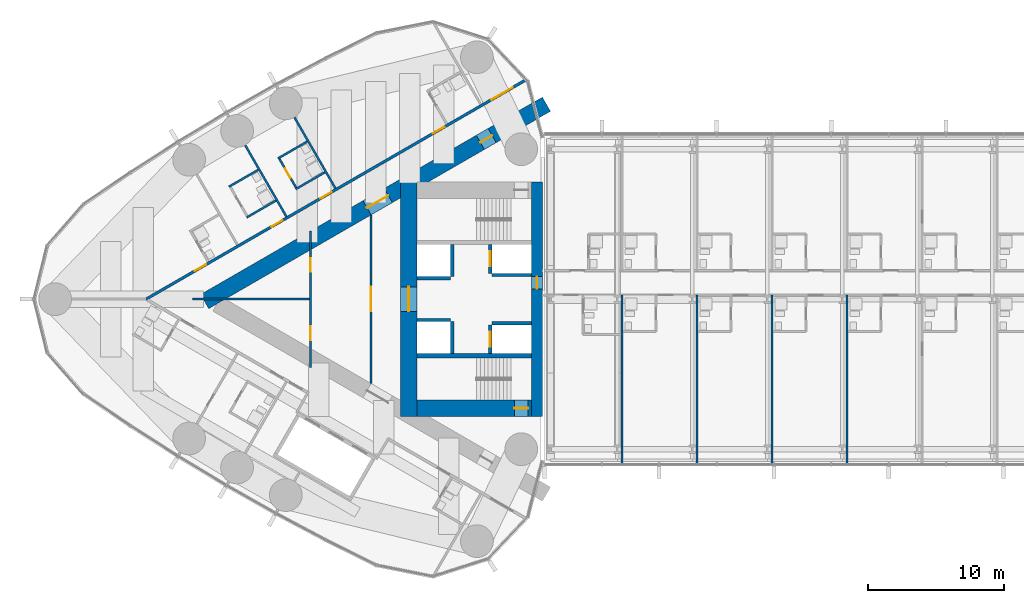
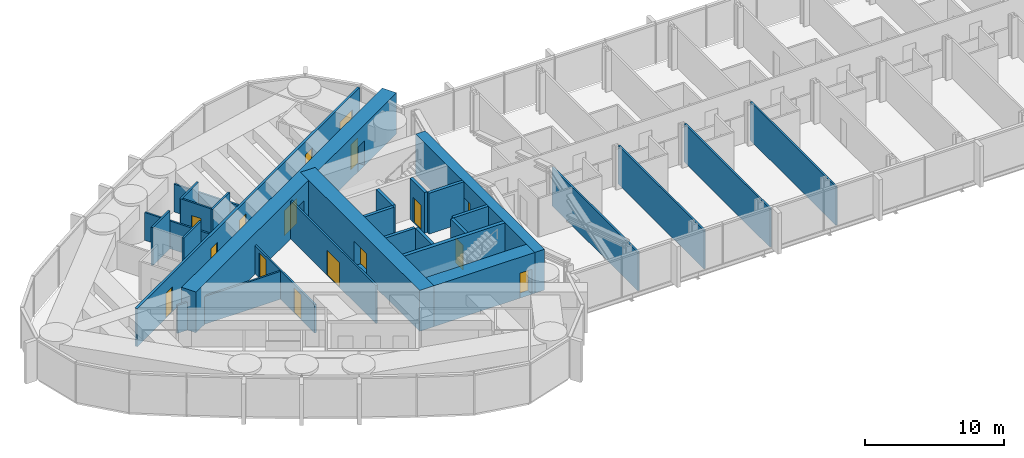
# One storey, part 15 of 23: 28 walls, 16 doors, 16 openings.
"""IFC4 building model written with IfcOpenShell, lengths in metres."""

import ifcopenshell
import ifcopenshell.guid

model = None  # the IFC model being written
_history = None  # IfcOwnerHistory: only IFC2X3 demands one
_inside = {}  # id of a spatial element -> (the spatial element, [elements in it])
_under = {}  # id of a project, library or spatial element -> (it, [spatial elements below it])
_declared = {}  # id of a project -> (the project, [libraries it declares])
_typed = {}  # id of a type object -> (the type object, [elements of that type])
_made_of = {}  # id of a material, layer set ... -> (it, [elements and type objects made of it])


def new_model(schema):
    """Start an empty IFC model of exactly this schema.

    Asked for "IFC4X3", IfcOpenShell would pick the latest addendum, in which some entities
    have other attributes; the version numbers below select the first issue.
    IFC2X3 requires an IfcOwnerHistory on every rooted entity: one is made here for all.
    """
    global model, _history
    if schema == "IFC4X3":
        model = ifcopenshell.file(schema_version=(4, 3, 0, 0))
    else:
        model = ifcopenshell.file(schema=schema)
    _inside.clear()
    _under.clear()
    _declared.clear()
    _typed.clear()
    _made_of.clear()
    _history = None
    if model.schema == "IFC2X3":
        org = make("IfcOrganization", Name="unknown")
        user = make(
            "IfcPersonAndOrganization",
            ThePerson=make("IfcPerson", FamilyName="unknown"),
            TheOrganization=org,
        )
        app = make(
            "IfcApplication",
            ApplicationDeveloper=org,
            Version="unknown",
            ApplicationFullName="unknown",
            ApplicationIdentifier="unknown",
        )
        _history = make(
            "IfcOwnerHistory",
            OwningUser=user,
            OwningApplication=app,
            ChangeAction="ADDED",
            CreationDate=0,
        )
    return model


def make(cls, **values):
    """One entity of the class cls with the attributes given. An attribute that is None is left unset."""
    return model.create_entity(
        cls, **{name: value for name, value in values.items() if value is not None}
    )


def rooted(cls, **values):
    """An entity with a GlobalId (a new one), such as an element, a storey or a relation."""
    return make(cls, GlobalId=ifcopenshell.guid.new(), OwnerHistory=_history, **values)


def si_unit(unit_type, name, prefix=None):
    """IfcSIUnit, for example si_unit("LENGTHUNIT", "METRE", prefix="MILLI")."""
    return make("IfcSIUnit", UnitType=unit_type, Prefix=prefix, Name=name)


def assignment(units):
    """IfcUnitAssignment: the units of a project."""
    return None if units is None else make("IfcUnitAssignment", Units=units)


def point(xyz):
    """IfcCartesianPoint."""
    return None if xyz is None else make("IfcCartesianPoint", Coordinates=xyz)


def direction(xyz):
    """IfcDirection."""
    return None if xyz is None else make("IfcDirection", DirectionRatios=xyz)


def frame(location, z_axis=None, x_axis=None):
    """IfcAxis2Placement3D, a coordinate frame: its origin and axes. An axis left out is left unset."""
    return make(
        "IfcAxis2Placement3D",
        Location=point(location),
        Axis=direction(z_axis),
        RefDirection=direction(x_axis),
    )


def frame_2d(location, x_axis=None):
    """IfcAxis2Placement2D, a coordinate frame in the plane: its origin and x axis."""
    return make(
        "IfcAxis2Placement2D", Location=point(location), RefDirection=direction(x_axis)
    )


def origin():
    """The frame at (0, 0, 0) with its axes left unset."""
    return frame((0.0, 0.0, 0.0))


def place(relative_to, where):
    """IfcLocalPlacement: puts the frame where relative to a parent placement (None: the world)."""
    return make(
        "IfcLocalPlacement", PlacementRelTo=relative_to, RelativePlacement=where
    )


def context(
    kind, dimensions, precision=None, world=None, true_north=None, identifier=None
):
    """IfcGeometricRepresentationContext, for example the 3D "Model" context."""
    return make(
        "IfcGeometricRepresentationContext",
        ContextIdentifier=identifier,
        ContextType=kind,
        CoordinateSpaceDimension=dimensions,
        Precision=precision,
        WorldCoordinateSystem=world,
        TrueNorth=true_north,
    )


def subcontext(parent, identifier, kind, view, scale=None):
    """IfcGeometricRepresentationSubContext, for example "Body" below "Model"."""
    return make(
        "IfcGeometricRepresentationSubContext",
        ContextIdentifier=identifier,
        ContextType=kind,
        ParentContext=parent,
        TargetScale=scale,
        TargetView=view,
    )


def project(units=None, contexts=None):
    """IfcProject with its units and contexts."""
    return rooted(
        "IfcProject",
        Name="project",
        RepresentationContexts=contexts,
        UnitsInContext=assignment(units),
    )


def spatial(cls, under=None, at=None, **own):
    """A site, building, storey or space (cls), placed at a placement, below another one or the project."""
    s = rooted(cls, ObjectPlacement=at, **own)
    if under is not None:
        _under.setdefault(under.id(), (under, []))[1].append(s)
    return s


def profile(cls, at=None, kind="AREA", **sizes):
    """A parametric profile (cls). Its sizes go by their IFC names, for example OverallWidth=200.0."""
    return make(cls, ProfileType=kind, Position=at, **sizes)


def rectangle(**sizes):
    """IfcRectangleProfileDef."""
    return profile("IfcRectangleProfileDef", **sizes)


def extrude(swept, where, along, depth):
    """IfcExtrudedAreaSolid: the profile swept, set in the frame where, extruded along a direction by depth."""
    return make(
        "IfcExtrudedAreaSolid",
        SweptArea=swept,
        Position=where,
        ExtrudedDirection=direction(along),
        Depth=depth,
    )


def shape(context_of_items, identifier, shape_type, items):
    """IfcShapeRepresentation: the items that make up one representation, for example the "Body"."""
    return make(
        "IfcShapeRepresentation",
        ContextOfItems=context_of_items,
        RepresentationIdentifier=identifier,
        RepresentationType=shape_type,
        Items=items,
    )


def material(Name=None, Category=None):
    """IfcMaterial."""
    return make("IfcMaterial", Name=Name, Category=Category)


def layer(
    of_material, thickness, ventilated=None, Name=None, Category=None, Priority=None
):
    """IfcMaterialLayer: one layer of a wall or slab, of a material (None: an air gap)."""
    return make(
        "IfcMaterialLayer",
        Material=of_material,
        LayerThickness=thickness,
        IsVentilated=ventilated,
        Name=Name,
        Category=Category,
        Priority=Priority,
    )


def layer_set(layers, Name=None):
    """IfcMaterialLayerSet."""
    return make("IfcMaterialLayerSet", MaterialLayers=layers, LayerSetName=Name)


def made_of(thing, what):
    """Note that an element or type object is made of a material, layer set ...; save() writes the relation."""
    if what is not None:
        _made_of.setdefault(what.id(), (what, []))[1].append(thing)
    return thing


def type_object(cls, material=None, **own):
    """A type object (cls), such as IfcWallType, which elements share."""
    return made_of(rooted(cls, **own), material)


def element(
    cls,
    number,
    at=None,
    inside=None,
    cuts=None,
    type_object=None,
    material=None,
    context=None,
    identifier="Body",
    shape_type=None,
    held_by="IfcProductDefinitionShape",
    body=None,
    shapes=None,
    **own,
):
    """One element of the class cls, such as IfcWall. Its Tag is "e" and its number.

    at: its placement. inside: the storey or other place that contains it. cuts: it is an
    opening in that element (IfcRelVoidsElement). A single representation is given by context,
    identifier, shape_type and body (its items); several are given by shapes. held_by: the class
    of the entity that holds the representations. save() writes the other relations.
    """
    e = rooted(cls, Tag="e%d" % number, ObjectPlacement=at, **own)
    if body is not None:
        shapes = [shape(context, identifier, shape_type, body)]
    if shapes is not None:
        e.Representation = make(held_by, Representations=shapes)
    if inside is not None:
        _inside.setdefault(inside.id(), (inside, []))[1].append(e)
    if cuts is not None:
        rooted(
            "IfcRelVoidsElement", RelatingBuildingElement=cuts, RelatedOpeningElement=e
        )
    if type_object is not None:
        _typed.setdefault(type_object.id(), (type_object, []))[1].append(e)
    return made_of(e, material)


def fill(opening, filler):
    """IfcRelFillsElement: the door or window that sits in an opening."""
    return rooted(
        "IfcRelFillsElement",
        RelatingOpeningElement=opening,
        RelatedBuildingElement=filler,
    )


def aggregate(whole, parts):
    """IfcRelAggregates: a whole, such as a stair, and the parts it consists of."""
    return rooted("IfcRelAggregates", RelatingObject=whole, RelatedObjects=parts)


def save(model, path):
    """Write the relations noted so far, then the file.

    IfcRelAggregates (storeys below a building ...), IfcRelContainedInSpatialStructure (elements
    in a storey), IfcRelDefinesByType, IfcRelAssociatesMaterial and IfcRelDeclares: one each for
    every whole, place, type object, material and project.
    """
    for whole, parts in _under.values():
        aggregate(whole, parts)
    for where, things in _inside.values():
        rooted(
            "IfcRelContainedInSpatialStructure",
            RelatedElements=things,
            RelatingStructure=where,
        )
    for kind, things in _typed.values():
        rooted("IfcRelDefinesByType", RelatedObjects=things, RelatingType=kind)
    for what, things in _made_of.values():
        rooted("IfcRelAssociatesMaterial", RelatedObjects=things, RelatingMaterial=what)
    for by, libraries in _declared.values():
        rooted("IfcRelDeclares", RelatingContext=by, RelatedDefinitions=libraries)
    model.write(path)


model = new_model("IFC4")

# Units and contexts
model_context = context("Model", 3, precision=1e-05, world=origin(), true_north=direction((0.0, 1.0)))
body_context = subcontext(model_context, "Body", "Model", "MODEL_VIEW")
ifc_project = project(units=[si_unit("LENGTHUNIT", "METRE"), si_unit("AREAUNIT", "SQUARE_METRE"), si_unit("VOLUMEUNIT", "CUBIC_METRE"), si_unit("PLANEANGLEUNIT", "RADIAN"), si_unit("MASSUNIT", "GRAM", prefix="KILO")], contexts=[model_context])

# Site, building, storey
site_placement = place(None, origin())
site = spatial("IfcSite", under=ifc_project, at=site_placement, CompositionType="ELEMENT")
building_placement = place(site_placement, origin())
building = spatial("IfcBuilding", under=site, at=building_placement, Name="Lancet Gate Hotel", CompositionType="ELEMENT")
storey_placement = place(building_placement, frame((0.0, 0.0, 218.89990234375)))
storey = spatial("IfcBuildingStorey", under=building, at=storey_placement, Name="L58", CompositionType="ELEMENT", Elevation=218.89990234375)

# Wall
ifc_material_1 = material(Name="Moisture resistant board partition")
ifc_layer_1 = layer(ifc_material_1, 0.14990234375)
ifc_layer_set_1 = layer_set([ifc_layer_1], Name="Bathroom wall 150")
wall_type_1 = type_object("IfcWallType", Name="Bathroom wall 150", PredefinedType="PARTITIONING", material=ifc_layer_set_1)
wall_1_placement = place(storey_placement, frame((-44.745361328125, 11.560302734375, 0.0), z_axis=(0.0, 0.0, 1.0), x_axis=(-0.866006523861, -0.500032699561, 0.0)))
element("IfcWall", 1, at=wall_1_placement, inside=storey, type_object=wall_type_1, Name="T1 bathroom wall 150 L58", PredefinedType="PARTITIONING", context=body_context, shape_type="SweptSolid", body=[
    extrude(rectangle(XDim=2.474853515625, YDim=0.14990234375, at=frame_2d((1.2373046875, 0.0))), origin(), (0.0, 0.0, 1.0), 3.35009765625),
])

# Wall, opening, door
wall_2_placement = place(storey_placement, frame((-45.52392578125, 8.108642578125, 0.0), z_axis=(0.0, 0.0, 1.0), x_axis=(-0.49997716683, 0.86603858612, 0.0)))
wall_2 = element("IfcWall", 2, at=wall_2_placement, inside=storey, type_object=wall_type_1, Name="T1 bathroom wall 150 L58", PredefinedType="PARTITIONING", context=body_context, shape_type="SweptSolid", body=[
    extrude(rectangle(XDim=2.599609375, YDim=0.14990234375, at=frame_2d((1.2998046875, 0.0))), origin(), (0.0, 0.0, 1.0), 3.35009765625),
])
opening_1_placement = place(wall_2_placement, frame((0.89990234375, 0.0, 0.0)))
opening_1 = element("IfcOpeningElement", 3, at=opening_1_placement, cuts=wall_2, Name="Opening 5803-B", PredefinedType="OPENING", context=body_context, shape_type="SweptSolid", body=[
    extrude(rectangle(XDim=0.800048828125, YDim=2.199951171875, at=frame_2d((0.39990234375, 1.10009765625))), frame((0.0, 0.0849609375, 0.0), z_axis=(0.0, -1.0, 0.0), x_axis=(1.0, 0.0, 0.0)), (0.0, 0.0, 1.0), 0.169921875),
])
ifc_material_2 = material(Name="Timber door set", Category="wood")
door_type_1 = type_object("IfcDoorType", Name="Bathroom door 800", OperationType="SINGLE_SWING_RIGHT", PredefinedType="DOOR", material=ifc_material_2)
door_1_placement = place(opening_1_placement, origin())
door_1 = element("IfcDoor", 4, at=door_1_placement, inside=storey, type_object=door_type_1, Name="5803-B", OperationType="SINGLE_SWING_RIGHT", OverallHeight=2.199951171875, OverallWidth=0.800048828125, PredefinedType="DOOR", context=body_context, shape_type="SweptSolid", body=[
    extrude(rectangle(XDim=0.800048828125, YDim=2.199951171875, at=frame_2d((0.39990234375, 1.10009765625))), frame((0.0, 0.02490234375, 0.0), z_axis=(0.0, -1.0, 0.0), x_axis=(1.0, 0.0, 0.0)), (0.0, 0.0, 1.0), 0.050048828125),
])
fill(opening_1, door_1)

# Walls
wall_3_placement = place(storey_placement, frame((-43.4453125, 9.30859375, 0.0), z_axis=(0.0, 0.0, 1.0), x_axis=(-0.866031185235, -0.4999899861, 0.0)))
element("IfcWall", 5, at=wall_3_placement, inside=storey, type_object=wall_type_1, Name="T1 bathroom wall 150 L58", PredefinedType="PARTITIONING", context=body_context, shape_type="SweptSolid", body=[
    extrude(rectangle(XDim=2.47509765625, YDim=0.14990234375, at=frame_2d((1.237548828125, 0.0))), origin(), (0.0, 0.0, 1.0), 3.35009765625),
])
wall_4_placement = place(storey_placement, frame((-48.338623046875, 9.485595703125, 0.0), z_axis=(0.0, 0.0, 1.0), x_axis=(-0.866006523861, -0.500032699561, 0.0)))
element("IfcWall", 6, at=wall_4_placement, inside=storey, type_object=wall_type_1, Name="T1 bathroom wall 150 L58", PredefinedType="PARTITIONING", context=body_context, shape_type="SweptSolid", body=[
    extrude(rectangle(XDim=2.474853515625, YDim=0.14990234375, at=frame_2d((1.2373046875, 0.0))), origin(), (0.0, 0.0, 1.0), 3.35009765625),
])
wall_5_placement = place(storey_placement, frame((-47.03857421875, 7.23388671875, 0.0), z_axis=(0.0, 0.0, 1.0), x_axis=(-0.866073894602, -0.499916002032, 0.0)))
element("IfcWall", 7, at=wall_5_placement, inside=storey, type_object=wall_type_1, Name="T1 bathroom wall 150 L58", PredefinedType="PARTITIONING", context=body_context, shape_type="SweptSolid", body=[
    extrude(rectangle(XDim=2.47509765625, YDim=0.14990234375, at=frame_2d((1.237548828125, 0.0))), origin(), (0.0, 0.0, 1.0), 3.35009765625),
])

# Wall, openings, doors
ifc_material_3 = material(Name="Concrete C70/85", Category="concrete")
ifc_layer_2 = layer(ifc_material_3, 1.199951171875)
ifc_layer_set_2 = layer_set([ifc_layer_2], Name="Buttress wall 1200")
wall_type_2 = type_object("IfcWallType", Name="Buttress wall 1200", PredefinedType="SHEAR", material=ifc_layer_set_2)
wall_6_placement = place(storey_placement, frame((-27.199951171875, 14.300048828125, 0.0), z_axis=(0.0, 0.0, 1.0), x_axis=(-0.866026593062, -0.499997940104, 0.0)))
wall_6 = element("IfcWall", 8, at=wall_6_placement, inside=storey, type_object=wall_type_2, Name="T1 buttress wall S L58", PredefinedType="SHEAR", context=body_context, shape_type="SweptSolid", body=[
    extrude(rectangle(XDim=28.9462890625, YDim=1.199951171875, at=frame_2d((14.47314453125, 0.0))), origin(), (0.0, 0.0, 1.0), 3.60009765625),
])
opening_2_placement = place(wall_6_placement, frame((4.60009765625, 0.0, 0.0)))
opening_2 = element("IfcOpeningElement", 9, at=opening_2_placement, cuts=wall_6, Name="Opening T1-L58-LS", PredefinedType="OPENING", context=body_context, shape_type="SweptSolid", body=[
    extrude(rectangle(XDim=1.0, YDim=2.199951171875, at=frame_2d((0.5, 1.10009765625))), frame((0.0, 0.60986328125, 0.0), z_axis=(0.0, -1.0, 0.0), x_axis=(1.0, 0.0, 0.0)), (0.0, 0.0, 1.0), 1.219970703125),
])
opening_3_placement = place(wall_6_placement, frame((13.39453125, 0.0, 0.0)))
opening_3 = element("IfcOpeningElement", 10, at=opening_3_placement, cuts=wall_6, Name="Opening T1-L58-LHS", PredefinedType="OPENING", context=body_context, shape_type="SweptSolid", body=[
    extrude(rectangle(XDim=1.800048828125, YDim=2.199951171875, at=frame_2d((0.89990234375, 1.10009765625))), frame((0.0, 0.60986328125, 0.0), z_axis=(0.0, -1.0, 0.0), x_axis=(1.0, 0.0, 0.0)), (0.0, 0.0, 1.0), 1.219970703125),
])
ifc_material_4 = material(Name="Timber door set", Category="wood")
door_type_2 = type_object("IfcDoorType", Name="Lobby double door 1800", OperationType="DOUBLE_DOOR_SINGLE_SWING", PredefinedType="DOOR", material=ifc_material_4)
door_2_placement = place(opening_3_placement, origin())
door_2 = element("IfcDoor", 11, at=door_2_placement, inside=storey, type_object=door_type_2, Name="T1-L58-LHS", OperationType="DOUBLE_DOOR_SINGLE_SWING", OverallHeight=2.199951171875, OverallWidth=1.800048828125, PredefinedType="DOOR", context=body_context, shape_type="SweptSolid", body=[
    extrude(rectangle(XDim=1.800048828125, YDim=2.199951171875, at=frame_2d((0.89990234375, 1.10009765625))), frame((0.0, 0.02490234375, 0.0), z_axis=(0.0, -1.0, 0.0), x_axis=(1.0, 0.0, 0.0)), (0.0, 0.0, 1.0), 0.050048828125),
])
fill(opening_3, door_2)
ifc_material_5 = material(Name="Timber door set", Category="wood")
door_type_3 = type_object("IfcDoorType", Name="Stair lobby door 1000", OperationType="SINGLE_SWING_LEFT", PredefinedType="DOOR", material=ifc_material_5)
door_3_placement = place(opening_2_placement, origin())
door_3 = element("IfcDoor", 12, at=door_3_placement, inside=storey, type_object=door_type_3, Name="T1-L58-LS", OperationType="SINGLE_SWING_LEFT", OverallHeight=2.199951171875, OverallWidth=1.0, PredefinedType="DOOR", context=body_context, shape_type="SweptSolid", body=[
    extrude(rectangle(XDim=1.0, YDim=2.199951171875, at=frame_2d((0.5, 1.10009765625))), frame((0.0, 0.02490234375, 0.0), z_axis=(0.0, -1.0, 0.0), x_axis=(1.0, 0.0, 0.0)), (0.0, 0.0, 1.0), 0.050048828125),
])
fill(opening_2, door_3)

# Wall, opening, door
ifc_material_6 = material(Name="Concrete C70/85", Category="concrete")
ifc_layer_3 = layer(ifc_material_6, 1.199951171875)
ifc_layer_set_3 = layer_set([ifc_layer_3], Name="Core wall 1200")
wall_type_3 = type_object("IfcWallType", Name="Core wall 1200", PredefinedType="SHEAR", material=ifc_layer_set_3)
wall_7_placement = place(storey_placement, frame((-37.300048828125, 8.60009765625, 0.0), z_axis=(0.0, 0.0, 1.0), x_axis=(0.0, -1.0, 0.0)))
wall_7 = element("IfcWall", 13, at=wall_7_placement, inside=storey, type_object=wall_type_3, Name="T1 core wall back L58", PredefinedType="SHEAR", context=body_context, shape_type="SweptSolid", body=[
    extrude(rectangle(XDim=17.2001953125, YDim=1.199951171875, at=frame_2d((8.60009765625, 0.0))), origin(), (0.0, 0.0, 1.0), 3.60009765625),
])
opening_4_placement = place(wall_7_placement, frame((7.699951171875, 0.0, 0.0)))
opening_4 = element("IfcOpeningElement", 14, at=opening_4_placement, cuts=wall_7, Name="Opening T1-L58-LL", PredefinedType="OPENING", context=body_context, shape_type="SweptSolid", body=[
    extrude(rectangle(XDim=1.800048828125, YDim=2.199951171875, at=frame_2d((0.89990234375, 1.10009765625))), frame((0.0, 0.60986328125, 0.0), z_axis=(0.0, -1.0, 0.0), x_axis=(1.0, 0.0, 0.0)), (0.0, 0.0, 1.0), 1.219970703125),
])
door_4_placement = place(opening_4_placement, origin())
door_4 = element("IfcDoor", 15, at=door_4_placement, inside=storey, type_object=door_type_2, Name="T1-L58-LL", OperationType="DOUBLE_DOOR_SINGLE_SWING", OverallHeight=2.199951171875, OverallWidth=1.800048828125, PredefinedType="DOOR", context=body_context, shape_type="SweptSolid", body=[
    extrude(rectangle(XDim=1.800048828125, YDim=2.199951171875, at=frame_2d((0.89990234375, 1.10009765625))), frame((0.0, 0.02490234375, 0.0), z_axis=(0.0, -1.0, 0.0), x_axis=(1.0, 0.0, 0.0)), (0.0, 0.0, 1.0), 0.050048828125),
])
fill(opening_4, door_4)

wall_8_placement = place(storey_placement, frame((-28.300048828125, -8.0, 0.0), z_axis=(0.0, 0.0, 1.0), x_axis=(-1.0, 0.0, 0.0)))
wall_8 = element("IfcWall", 16, at=wall_8_placement, inside=storey, type_object=wall_type_3, Name="T1 core wall side-N L58", PredefinedType="SHEAR", context=body_context, shape_type="SweptSolid", body=[
    extrude(rectangle(XDim=8.39990234375, YDim=1.199951171875, at=frame_2d((4.199951171875, 0.0))), origin(), (0.0, 0.0, 1.0), 3.60009765625),
])
opening_5_placement = place(wall_8_placement, frame((0.25, 0.0, 0.0)))
opening_5 = element("IfcOpeningElement", 17, at=opening_5_placement, cuts=wall_8, Name="Opening T1-L58-ST2", PredefinedType="OPENING", context=body_context, shape_type="SweptSolid", body=[
    extrude(rectangle(XDim=1.0, YDim=2.199951171875, at=frame_2d((0.5, 1.10009765625))), frame((0.0, 0.60986328125, 0.0), z_axis=(0.0, -1.0, 0.0), x_axis=(1.0, 0.0, 0.0)), (0.0, 0.0, 1.0), 1.219970703125),
])
ifc_material_7 = material(Name="Timber door set", Category="wood")
door_type_4 = type_object("IfcDoorType", Name="Stair door 1000", OperationType="SINGLE_SWING_RIGHT", PredefinedType="DOOR", material=ifc_material_7)
door_5_placement = place(opening_5_placement, origin())
door_5 = element("IfcDoor", 18, at=door_5_placement, inside=storey, type_object=door_type_4, Name="T1-L58-ST2", OperationType="SINGLE_SWING_RIGHT", OverallHeight=2.199951171875, OverallWidth=1.0, PredefinedType="DOOR", context=body_context, shape_type="SweptSolid", body=[
    extrude(rectangle(XDim=1.0, YDim=2.199951171875, at=frame_2d((0.5, 1.10009765625))), frame((0.0, 0.02490234375, 0.0), z_axis=(0.0, -1.0, 0.0), x_axis=(1.0, 0.0, 0.0)), (0.0, 0.0, 1.0), 0.050048828125),
])
fill(opening_5, door_5)

ifc_material_8 = material(Name="Concrete C70/85", Category="concrete")
ifc_layer_4 = layer(ifc_material_8, 0.800048828125)
ifc_layer_set_4 = layer_set([ifc_layer_4], Name="Core wall 800")
wall_type_4 = type_object("IfcWallType", Name="Core wall 800", PredefinedType="SHEAR", material=ifc_layer_set_4)
wall_9_placement = place(storey_placement, frame((-27.89990234375, 8.60009765625, 0.0), z_axis=(0.0, 0.0, 1.0), x_axis=(0.0, -1.0, 0.0)))
wall_9 = element("IfcWall", 19, at=wall_9_placement, inside=storey, type_object=wall_type_4, Name="T1 core wall front L58", PredefinedType="SHEAR", context=body_context, shape_type="SweptSolid", body=[
    extrude(rectangle(XDim=17.2001953125, YDim=0.800048828125, at=frame_2d((8.60009765625, 0.0))), origin(), (0.0, 0.0, 1.0), 3.60009765625),
])
opening_6_placement = place(wall_9_placement, frame((6.949951171875, 0.0, 0.0)))
opening_6 = element("IfcOpeningElement", 20, at=opening_6_placement, cuts=wall_9, Name="Opening T1-L58-BR", PredefinedType="OPENING", context=body_context, shape_type="SweptSolid", body=[
    extrude(rectangle(XDim=0.89990234375, YDim=2.199951171875, at=frame_2d((0.449951171875, 1.10009765625))), frame((0.0, 0.409912109375, 0.0), z_axis=(0.0, -1.0, 0.0), x_axis=(1.0, 0.0, 0.0)), (0.0, 0.0, 1.0), 0.820068359375),
])
ifc_material_9 = material(Name="Steel door set", Category="steel")
door_type_5 = type_object("IfcDoorType", Name="Bridge fire door 900", OperationType="SINGLE_SWING_LEFT", PredefinedType="DOOR", material=ifc_material_9)
door_6_placement = place(opening_6_placement, origin())
door_6 = element("IfcDoor", 21, at=door_6_placement, inside=storey, type_object=door_type_5, Name="T1-L58-BR", OperationType="SINGLE_SWING_LEFT", OverallHeight=2.199951171875, OverallWidth=0.89990234375, PredefinedType="DOOR", context=body_context, shape_type="SweptSolid", body=[
    extrude(rectangle(XDim=0.89990234375, YDim=2.199951171875, at=frame_2d((0.449951171875, 1.10009765625))), frame((0.0, 0.02490234375, 0.0), z_axis=(0.0, -1.0, 0.0), x_axis=(1.0, 0.0, 0.0)), (0.0, 0.0, 1.0), 0.050048828125),
])
fill(opening_6, door_6)

# Wall, openings, doors
ifc_material_10 = material(Name="Gypsum board partition")
ifc_layer_5 = layer(ifc_material_10, 0.199951171875)
ifc_layer_set_5 = layer_set([ifc_layer_5], Name="Corridor wall 200")
wall_type_5 = type_object("IfcWallType", Name="Corridor wall 200", PredefinedType="PARTITIONING", material=ifc_layer_set_5)
wall_10_placement = place(storey_placement, frame((-28.737060546875, 16.068359375, 0.0), z_axis=(0.0, 0.0, 1.0), x_axis=(-0.866026057212, -0.499998868229, 0.0)))
wall_10 = element("IfcWall", 22, at=wall_10_placement, inside=storey, type_object=wall_type_5, Name="T1 corridor wall 200 L58", PredefinedType="PARTITIONING", context=body_context, shape_type="SweptSolid", body=[
    extrude(rectangle(XDim=32.13671875, YDim=0.199951171875, at=frame_2d((16.068359375, 0.0))), origin(), (0.0, 0.0, 1.0), 3.35009765625),
])
opening_7_placement = place(wall_10_placement, frame((1.080078125, 0.0, 0.0)))
opening_7 = element("IfcOpeningElement", 23, at=opening_7_placement, cuts=wall_10, Name="Opening 5801-E", PredefinedType="OPENING", context=body_context, shape_type="SweptSolid", body=[
    extrude(rectangle(XDim=1.800048828125, YDim=2.030029296875, at=frame_2d((0.89990234375, 1.01513671875))), frame((0.0, 0.10986328125, 0.0), z_axis=(0.0, -1.0, 0.0), x_axis=(1.0, 0.0, 0.0)), (0.0, 0.0, 1.0), 0.219970703125),
])
opening_8_placement = place(wall_10_placement, frame((6.860107421875, 0.0, 0.0)))
opening_8 = element("IfcOpeningElement", 24, at=opening_8_placement, cuts=wall_10, Name="Opening 5802-E", PredefinedType="OPENING", context=body_context, shape_type="SweptSolid", body=[
    extrude(rectangle(XDim=1.0, YDim=2.199951171875, at=frame_2d((0.5, 1.10009765625))), frame((0.0, 0.10986328125, 0.0), z_axis=(0.0, -1.0, 0.0), x_axis=(1.0, 0.0, 0.0)), (0.0, 0.0, 1.0), 0.219970703125),
])
opening_9_placement = place(wall_10_placement, frame((16.417724609375, 0.0, 0.0)))
opening_9 = element("IfcOpeningElement", 25, at=opening_9_placement, cuts=wall_10, Name="Opening 5803-E", PredefinedType="OPENING", context=body_context, shape_type="SweptSolid", body=[
    extrude(rectangle(XDim=0.949951171875, YDim=2.199951171875, at=frame_2d((0.47509765625, 1.10009765625))), frame((0.0, 0.10986328125, 0.0), z_axis=(0.0, -1.0, 0.0), x_axis=(1.0, 0.0, 0.0)), (0.0, 0.0, 1.0), 0.219970703125),
])
opening_10_placement = place(wall_10_placement, frame((20.56689453125, 0.0, 0.0)))
opening_10 = element("IfcOpeningElement", 26, at=opening_10_placement, cuts=wall_10, Name="Opening 5804-E", PredefinedType="OPENING", context=body_context, shape_type="SweptSolid", body=[
    extrude(rectangle(XDim=0.949951171875, YDim=2.199951171875, at=frame_2d((0.47509765625, 1.10009765625))), frame((0.0, 0.10986328125, 0.0), z_axis=(0.0, -1.0, 0.0), x_axis=(1.0, 0.0, 0.0)), (0.0, 0.0, 1.0), 0.219970703125),
])
opening_11_placement = place(wall_10_placement, frame((27.0654296875, 0.0, 0.0)))
opening_11 = element("IfcOpeningElement", 27, at=opening_11_placement, cuts=wall_10, Name="Opening 5805-E", PredefinedType="OPENING", context=body_context, shape_type="SweptSolid", body=[
    extrude(rectangle(XDim=0.949951171875, YDim=2.199951171875, at=frame_2d((0.47509765625, 1.10009765625))), frame((0.0, 0.10986328125, 0.0), z_axis=(0.0, -1.0, 0.0), x_axis=(1.0, 0.0, 0.0)), (0.0, 0.0, 1.0), 0.219970703125),
])
ifc_material_11 = material(Name="Timber door set", Category="wood")
door_type_6 = type_object("IfcDoorType", Name="Accessible guest room door 1000", OperationType="SINGLE_SWING_LEFT", PredefinedType="DOOR", material=ifc_material_11)
door_7_placement = place(opening_8_placement, origin())
door_7 = element("IfcDoor", 28, at=door_7_placement, inside=storey, type_object=door_type_6, Name="5802-E", OperationType="SINGLE_SWING_LEFT", OverallHeight=2.199951171875, OverallWidth=1.0, PredefinedType="DOOR", context=body_context, shape_type="SweptSolid", body=[
    extrude(rectangle(XDim=1.0, YDim=2.199951171875, at=frame_2d((0.5, 1.10009765625))), frame((0.0, 0.02490234375, 0.0), z_axis=(0.0, -1.0, 0.0), x_axis=(1.0, 0.0, 0.0)), (0.0, 0.0, 1.0), 0.050048828125),
])
fill(opening_8, door_7)
ifc_material_12 = material(Name="Timber door set", Category="wood")
door_type_7 = type_object("IfcDoorType", Name="Double door 1800, 2030 high", OperationType="DOUBLE_DOOR_SINGLE_SWING", PredefinedType="DOOR", material=ifc_material_12)
door_8_placement = place(opening_7_placement, origin())
door_8 = element("IfcDoor", 29, at=door_8_placement, inside=storey, type_object=door_type_7, Name="5801-E", OperationType="DOUBLE_DOOR_SINGLE_SWING", OverallHeight=2.030029296875, OverallWidth=1.800048828125, PredefinedType="DOOR", context=body_context, shape_type="SweptSolid", body=[
    extrude(rectangle(XDim=1.800048828125, YDim=2.030029296875, at=frame_2d((0.89990234375, 1.01513671875))), frame((0.0, 0.02490234375, 0.0), z_axis=(0.0, -1.0, 0.0), x_axis=(1.0, 0.0, 0.0)), (0.0, 0.0, 1.0), 0.050048828125),
])
fill(opening_7, door_8)
ifc_material_13 = material(Name="Timber door set", Category="wood")
door_type_8 = type_object("IfcDoorType", Name="Guest room entry door 950", OperationType="SINGLE_SWING_LEFT", PredefinedType="DOOR", material=ifc_material_13)
door_9_placement = place(opening_9_placement, origin())
door_9 = element("IfcDoor", 30, at=door_9_placement, inside=storey, type_object=door_type_8, Name="5803-E", OperationType="SINGLE_SWING_LEFT", OverallHeight=2.199951171875, OverallWidth=0.949951171875, PredefinedType="DOOR", context=body_context, shape_type="SweptSolid", body=[
    extrude(rectangle(XDim=0.949951171875, YDim=2.199951171875, at=frame_2d((0.47509765625, 1.10009765625))), frame((0.0, 0.02490234375, 0.0), z_axis=(0.0, -1.0, 0.0), x_axis=(1.0, 0.0, 0.0)), (0.0, 0.0, 1.0), 0.050048828125),
])
fill(opening_9, door_9)
door_10_placement = place(opening_10_placement, origin())
door_10 = element("IfcDoor", 31, at=door_10_placement, inside=storey, type_object=door_type_8, Name="5804-E", OperationType="SINGLE_SWING_LEFT", OverallHeight=2.199951171875, OverallWidth=0.949951171875, PredefinedType="DOOR", context=body_context, shape_type="SweptSolid", body=[
    extrude(rectangle(XDim=0.949951171875, YDim=2.199951171875, at=frame_2d((0.47509765625, 1.10009765625))), frame((0.0, 0.02490234375, 0.0), z_axis=(0.0, -1.0, 0.0), x_axis=(1.0, 0.0, 0.0)), (0.0, 0.0, 1.0), 0.050048828125),
])
fill(opening_10, door_10)
door_11_placement = place(opening_11_placement, origin())
door_11 = element("IfcDoor", 32, at=door_11_placement, inside=storey, type_object=door_type_8, Name="5805-E", OperationType="SINGLE_SWING_LEFT", OverallHeight=2.199951171875, OverallWidth=0.949951171875, PredefinedType="DOOR", context=body_context, shape_type="SweptSolid", body=[
    extrude(rectangle(XDim=0.949951171875, YDim=2.199951171875, at=frame_2d((0.47509765625, 1.10009765625))), frame((0.0, 0.02490234375, 0.0), z_axis=(0.0, -1.0, 0.0), x_axis=(1.0, 0.0, 0.0)), (0.0, 0.0, 1.0), 0.050048828125),
])
fill(opening_11, door_11)

# Wall, opening, door
ifc_material_14 = material(Name="Concrete C50/60", Category="concrete")
ifc_layer_6 = layer(ifc_material_14, 0.25)
ifc_layer_set_6 = layer_set([ifc_layer_6], Name="Lift shaft wall 250")
wall_type_6 = type_object("IfcWallType", Name="Lift shaft wall 250", PredefinedType="SHEAR", material=ifc_layer_set_6)
wall_11_placement = place(storey_placement, frame((-31.324951171875, 4.0, 0.0), z_axis=(0.0, 0.0, 1.0), x_axis=(0.0, -1.0, 0.0)))
wall_11 = element("IfcWall", 33, at=wall_11_placement, inside=storey, type_object=wall_type_6, Name="T1 core wall row1-S L58", PredefinedType="SHEAR", context=body_context, shape_type="SweptSolid", body=[
    extrude(rectangle(XDim=2.10009765625, YDim=0.25, at=frame_2d((1.050048828125, 0.0))), origin(), (0.0, 0.0, 1.0), 3.60009765625),
])
opening_12_placement = place(wall_11_placement, frame((0.5, 0.0, 0.0)))
opening_12 = element("IfcOpeningElement", 34, at=opening_12_placement, cuts=wall_11, Name="Opening T1-SL1-L58", PredefinedType="OPENING", context=body_context, shape_type="SweptSolid", body=[
    extrude(rectangle(XDim=1.10009765625, YDim=2.199951171875, at=frame_2d((0.550048828125, 1.10009765625))), frame((0.0, 0.135009765625, 0.0), z_axis=(0.0, -1.0, 0.0), x_axis=(1.0, 0.0, 0.0)), (0.0, 0.0, 1.0), 0.27001953125),
])
ifc_material_15 = material(Name="Timber door set", Category="wood")
door_type_9 = type_object("IfcDoorType", Name="Service lift landing door 1100", OperationType="SLIDING_TO_LEFT", PredefinedType="USERDEFINED", material=ifc_material_15)
door_12_placement = place(opening_12_placement, origin())
door_12 = element("IfcDoor", 35, at=door_12_placement, inside=storey, type_object=door_type_9, Name="T1-SL1-L58", ObjectType="LIFT LANDING DOOR", OperationType="SLIDING_TO_LEFT", OverallHeight=2.199951171875, OverallWidth=1.10009765625, PredefinedType="USERDEFINED", context=body_context, shape_type="SweptSolid", body=[
    extrude(rectangle(XDim=1.10009765625, YDim=2.199951171875, at=frame_2d((0.550048828125, 1.10009765625))), frame((0.0, 0.02490234375, 0.0), z_axis=(0.0, -1.0, 0.0), x_axis=(1.0, 0.0, 0.0)), (0.0, 0.0, 1.0), 0.050048828125),
])
fill(opening_12, door_12)

# Walls
wall_12_placement = place(storey_placement, frame((-34.125, 4.0, 0.0), z_axis=(0.0, 0.0, 1.0), x_axis=(0.0, -1.0, 0.0)))
element("IfcWall", 36, at=wall_12_placement, inside=storey, type_object=wall_type_6, Name="T1 core wall row2-S L58", PredefinedType="SHEAR", context=body_context, shape_type="SweptSolid", body=[
    extrude(rectangle(XDim=2.35009765625, YDim=0.25, at=frame_2d((1.175048828125, 0.0))), origin(), (0.0, 0.0, 1.0), 3.60009765625),
])
wall_13_placement = place(storey_placement, frame((-28.300048828125, 1.77490234375, 0.0), z_axis=(0.0, 0.0, 1.0), x_axis=(-1.0, 0.0, 0.0)))
element("IfcWall", 37, at=wall_13_placement, inside=storey, type_object=wall_type_6, Name="T1 core wall pass1-S L58", PredefinedType="SHEAR", context=body_context, shape_type="SweptSolid", body=[
    extrude(rectangle(XDim=2.89990234375, YDim=0.25, at=frame_2d((1.449951171875, 0.0))), origin(), (0.0, 0.0, 1.0), 3.60009765625),
])
wall_14_placement = place(storey_placement, frame((-34.25, 1.52490234375, 0.0), z_axis=(0.0, 0.0, 1.0), x_axis=(-1.0, 0.0, 0.0)))
element("IfcWall", 38, at=wall_14_placement, inside=storey, type_object=wall_type_6, Name="T1 core wall pass2-S L58", PredefinedType="SHEAR", context=body_context, shape_type="SweptSolid", body=[
    extrude(rectangle(XDim=2.449951171875, YDim=0.25, at=frame_2d((1.22509765625, 0.0))), origin(), (0.0, 0.0, 1.0), 3.60009765625),
])

# Wall, opening, door
wall_15_placement = place(storey_placement, frame((-31.324951171875, -1.89990234375, 0.0), z_axis=(0.0, 0.0, 1.0), x_axis=(0.0, -1.0, 0.0)))
wall_15 = element("IfcWall", 39, at=wall_15_placement, inside=storey, type_object=wall_type_6, Name="T1 core wall row1-N L58", PredefinedType="SHEAR", context=body_context, shape_type="SweptSolid", body=[
    extrude(rectangle(XDim=2.10009765625, YDim=0.25, at=frame_2d((1.050048828125, 0.0))), origin(), (0.0, 0.0, 1.0), 3.60009765625),
])
opening_13_placement = place(wall_15_placement, frame((0.5, 0.0, 0.0)))
opening_13 = element("IfcOpeningElement", 40, at=opening_13_placement, cuts=wall_15, Name="Opening T1-FL2-L58", PredefinedType="OPENING", context=body_context, shape_type="SweptSolid", body=[
    extrude(rectangle(XDim=1.10009765625, YDim=2.199951171875, at=frame_2d((0.550048828125, 1.10009765625))), frame((0.0, 0.135009765625, 0.0), z_axis=(0.0, -1.0, 0.0), x_axis=(1.0, 0.0, 0.0)), (0.0, 0.0, 1.0), 0.27001953125),
])
ifc_material_16 = material(Name="Steel door set", Category="steel")
door_type_10 = type_object("IfcDoorType", Name="Firefighting lift landing door 1100", OperationType="SLIDING_TO_LEFT", PredefinedType="USERDEFINED", material=ifc_material_16)
door_13_placement = place(opening_13_placement, origin())
door_13 = element("IfcDoor", 41, at=door_13_placement, inside=storey, type_object=door_type_10, Name="T1-FL2-L58", ObjectType="LIFT LANDING DOOR", OperationType="SLIDING_TO_LEFT", OverallHeight=2.199951171875, OverallWidth=1.10009765625, PredefinedType="USERDEFINED", context=body_context, shape_type="SweptSolid", body=[
    extrude(rectangle(XDim=1.10009765625, YDim=2.199951171875, at=frame_2d((0.550048828125, 1.10009765625))), frame((0.0, 0.02490234375, 0.0), z_axis=(0.0, -1.0, 0.0), x_axis=(1.0, 0.0, 0.0)), (0.0, 0.0, 1.0), 0.050048828125),
])
fill(opening_13, door_13)

# Walls
wall_16_placement = place(storey_placement, frame((-34.125, -1.64990234375, 0.0), z_axis=(0.0, 0.0, 1.0), x_axis=(0.0, -1.0, 0.0)))
element("IfcWall", 42, at=wall_16_placement, inside=storey, type_object=wall_type_6, Name="T1 core wall row2-N L58", PredefinedType="SHEAR", context=body_context, shape_type="SweptSolid", body=[
    extrude(rectangle(XDim=2.35009765625, YDim=0.25, at=frame_2d((1.175048828125, 0.0))), origin(), (0.0, 0.0, 1.0), 3.60009765625),
])
wall_17_placement = place(storey_placement, frame((-28.300048828125, -1.77490234375, 0.0), z_axis=(0.0, 0.0, 1.0), x_axis=(-1.0, 0.0, 0.0)))
element("IfcWall", 43, at=wall_17_placement, inside=storey, type_object=wall_type_6, Name="T1 core wall pass1-N L58", PredefinedType="SHEAR", context=body_context, shape_type="SweptSolid", body=[
    extrude(rectangle(XDim=2.89990234375, YDim=0.25, at=frame_2d((1.449951171875, 0.0))), origin(), (0.0, 0.0, 1.0), 3.60009765625),
])
wall_18_placement = place(storey_placement, frame((-34.25, -1.52490234375, 0.0), z_axis=(0.0, 0.0, 1.0), x_axis=(-1.0, 0.0, 0.0)))
element("IfcWall", 44, at=wall_18_placement, inside=storey, type_object=wall_type_6, Name="T1 core wall pass2-N L58", PredefinedType="SHEAR", context=body_context, shape_type="SweptSolid", body=[
    extrude(rectangle(XDim=2.449951171875, YDim=0.25, at=frame_2d((1.22509765625, 0.0))), origin(), (0.0, 0.0, 1.0), 3.60009765625),
])
ifc_material_17 = material(Name="Gypsum board partition")
ifc_layer_7 = layer(ifc_material_17, 0.14990234375)
ifc_layer_set_7 = layer_set([ifc_layer_7], Name="Party wall 150")
wall_type_7 = type_object("IfcWallType", Name="Party wall 150", PredefinedType="PARTITIONING", material=ifc_layer_set_7)
wall_19_placement = place(storey_placement, frame((-42.680419921875, 8.133544921875, 0.0), z_axis=(0.0, 0.0, 1.0), x_axis=(-0.499984479505, 0.866034364361, 0.0)))
element("IfcWall", 45, at=wall_19_placement, inside=storey, type_object=wall_type_7, Name="T1 party wall 150 L58", PredefinedType="PARTITIONING", context=body_context, shape_type="SweptSolid", body=[
    extrude(rectangle(XDim=5.995361328125, YDim=0.14990234375, at=frame_2d((2.99755859375, 0.0))), origin(), (0.0, 0.0, 1.0), 2.4501953125),
])
wall_20_placement = place(storey_placement, frame((-46.273681640625, 6.05908203125, 0.0), z_axis=(0.0, 0.0, 1.0), x_axis=(-0.500020471368, 0.866013584312, 0.0)))
element("IfcWall", 46, at=wall_20_placement, inside=storey, type_object=wall_type_7, Name="T1 party wall 150 L58", PredefinedType="PARTITIONING", context=body_context, shape_type="SweptSolid", body=[
    extrude(rectangle(XDim=6.027587890625, YDim=0.14990234375, at=frame_2d((3.013671875, 0.0))), origin(), (0.0, 0.0, 1.0), 2.4501953125),
])
for number, where, z_axis, x_axis, name in (
    (47, (-21.64990234375, -12.070068359375, 0.0), (0.0, 0.0, 1.0), (0.0, 1.0, 0.0), "Bridge block party wall 150 L58"),
    (48, (-16.14990234375, -12.070068359375, 0.0), (0.0, 0.0, 1.0), (0.0, 1.0, 0.0), "Bridge block party wall 150 L58"),
    (49, (-10.64990234375, -12.070068359375, 0.0), (0.0, 0.0, 1.0), (0.0, 1.0, 0.0), "Bridge block party wall 150 L58"),
    (50, (-5.14990234375, -12.070068359375, 0.0), (0.0, 0.0, 1.0), (0.0, 1.0, 0.0), "Bridge block party wall 150 L58"),
):
    element("IfcWall", number, at=place(storey_placement, frame(where, z_axis=z_axis, x_axis=x_axis)), inside=storey, type_object=wall_type_7, Name=name, PredefinedType="PARTITIONING", context=body_context, shape_type="SweptSolid", body=[
        extrude(rectangle(XDim=12.3701171875, YDim=0.14990234375, at=frame_2d((6.18505859375, 0.0))), origin(), (0.0, 0.0, 1.0), 3.400146484375),
    ])

# Wall, opening, door
ifc_material_18 = material(Name="Gypsum board partition")
ifc_layer_8 = layer(ifc_material_18, 0.14990234375)
ifc_layer_set_8 = layer_set([ifc_layer_8], Name="Service room wall 150")
wall_type_8 = type_object("IfcWallType", Name="Service room wall 150", PredefinedType="PARTITIONING", material=ifc_layer_set_8)
wall_21_placement = place(storey_placement, frame((-40.074951171875, 6.173828125, 0.0), z_axis=(0.0, 0.0, 1.0), x_axis=(0.0, -1.0, 0.0)))
wall_21 = element("IfcWall", 51, at=wall_21_placement, inside=storey, type_object=wall_type_8, Name="T1 service room wall 150 L58", PredefinedType="PARTITIONING", context=body_context, shape_type="SweptSolid", body=[
    extrude(rectangle(XDim=12.34765625, YDim=0.14990234375, at=frame_2d((6.173828125, 0.0))), origin(), (0.0, 0.0, 1.0), 3.35009765625),
])
opening_14_placement = place(wall_21_placement, frame((5.273681640625, 0.0, 0.0)))
opening_14 = element("IfcOpeningElement", 52, at=opening_14_placement, cuts=wall_21, Name="Opening T1-L58-LH", PredefinedType="OPENING", context=body_context, shape_type="SweptSolid", body=[
    extrude(rectangle(XDim=1.800048828125, YDim=2.199951171875, at=frame_2d((0.89990234375, 1.10009765625))), frame((0.0, 0.0849609375, 0.0), z_axis=(0.0, -1.0, 0.0), x_axis=(1.0, 0.0, 0.0)), (0.0, 0.0, 1.0), 0.169921875),
])
door_14_placement = place(opening_14_placement, origin())
door_14 = element("IfcDoor", 53, at=door_14_placement, inside=storey, type_object=door_type_2, Name="T1-L58-LH", OperationType="DOUBLE_DOOR_SINGLE_SWING", OverallHeight=2.199951171875, OverallWidth=1.800048828125, PredefinedType="DOOR", context=body_context, shape_type="SweptSolid", body=[
    extrude(rectangle(XDim=1.800048828125, YDim=2.199951171875, at=frame_2d((0.89990234375, 1.10009765625))), frame((0.0, 0.02490234375, 0.0), z_axis=(0.0, -1.0, 0.0), x_axis=(1.0, 0.0, 0.0)), (0.0, 0.0, 1.0), 0.050048828125),
])
fill(opening_14, door_14)

# Wall, openings, doors
wall_22_placement = place(storey_placement, frame((-44.5, 5.004638671875, 0.0), z_axis=(0.0, 0.0, 1.0), x_axis=(0.0, -1.0, 0.0)))
wall_22 = element("IfcWall", 54, at=wall_22_placement, inside=storey, type_object=wall_type_8, Name="T1 service room wall 150 L58", PredefinedType="PARTITIONING", context=body_context, shape_type="SweptSolid", body=[
    extrude(rectangle(XDim=10.00927734375, YDim=0.14990234375, at=frame_2d((5.004638671875, 0.0))), origin(), (0.0, 0.0, 1.0), 2.5),
])
opening_15_placement = place(wall_22_placement, frame((2.002197265625, 0.0, 0.0)))
opening_15 = element("IfcOpeningElement", 55, at=opening_15_placement, cuts=wall_22, Name="Opening T1-L58-SV", PredefinedType="OPENING", context=body_context, shape_type="SweptSolid", body=[
    extrude(rectangle(XDim=1.0, YDim=2.199951171875, at=frame_2d((0.5, 1.10009765625))), frame((0.0, 0.0849609375, 0.0), z_axis=(0.0, -1.0, 0.0), x_axis=(1.0, 0.0, 0.0)), (0.0, 0.0, 1.0), 0.169921875),
])
opening_16_placement = place(wall_22_placement, frame((7.0068359375, 0.0, 0.0)))
opening_16 = element("IfcOpeningElement", 56, at=opening_16_placement, cuts=wall_22, Name="Opening T1-L58-SV2", PredefinedType="OPENING", context=body_context, shape_type="SweptSolid", body=[
    extrude(rectangle(XDim=1.0, YDim=2.199951171875, at=frame_2d((0.5, 1.10009765625))), frame((0.0, 0.0849609375, 0.0), z_axis=(0.0, -1.0, 0.0), x_axis=(1.0, 0.0, 0.0)), (0.0, 0.0, 1.0), 0.169921875),
])
ifc_material_19 = material(Name="Timber door set", Category="wood")
door_type_11 = type_object("IfcDoorType", Name="Service door 1000", OperationType="SINGLE_SWING_LEFT", PredefinedType="DOOR", material=ifc_material_19)
door_15_placement = place(opening_15_placement, origin())
door_15 = element("IfcDoor", 57, at=door_15_placement, inside=storey, type_object=door_type_11, Name="T1-L58-SV", OperationType="SINGLE_SWING_LEFT", OverallHeight=2.199951171875, OverallWidth=1.0, PredefinedType="DOOR", context=body_context, shape_type="SweptSolid", body=[
    extrude(rectangle(XDim=1.0, YDim=2.199951171875, at=frame_2d((0.5, 1.10009765625))), frame((0.0, 0.02490234375, 0.0), z_axis=(0.0, -1.0, 0.0), x_axis=(1.0, 0.0, 0.0)), (0.0, 0.0, 1.0), 0.050048828125),
])
fill(opening_15, door_15)
door_16_placement = place(opening_16_placement, origin())
door_16 = element("IfcDoor", 58, at=door_16_placement, inside=storey, type_object=door_type_11, Name="T1-L58-SV2", OperationType="SINGLE_SWING_LEFT", OverallHeight=2.199951171875, OverallWidth=1.0, PredefinedType="DOOR", context=body_context, shape_type="SweptSolid", body=[
    extrude(rectangle(XDim=1.0, YDim=2.199951171875, at=frame_2d((0.5, 1.10009765625))), frame((0.0, 0.02490234375, 0.0), z_axis=(0.0, -1.0, 0.0), x_axis=(1.0, 0.0, 0.0)), (0.0, 0.0, 1.0), 0.050048828125),
])
fill(opening_16, door_16)

# Walls
wall_23_placement = place(storey_placement, frame((-44.574951171875, 0.0, 0.0), z_axis=(0.0, 0.0, 1.0), x_axis=(-1.0, 0.0, 0.0)))
element("IfcWall", 59, at=wall_23_placement, inside=storey, type_object=wall_type_8, Name="T1 service room wall 150 L58", PredefinedType="PARTITIONING", context=body_context, shape_type="SweptSolid", body=[
    extrude(rectangle(XDim=8.59326171875, YDim=0.14990234375, at=frame_2d((4.296630859375, 0.0))), origin(), (0.0, 0.0, 1.0), 2.4501953125),
])
ifc_material_20 = material(Name="Concrete C50/60", Category="concrete")
ifc_layer_9 = layer(ifc_material_20, 0.300048828125)
ifc_layer_set_9 = layer_set([ifc_layer_9], Name="Stair enclosure wall 300")
wall_type_9 = type_object("IfcWallType", Name="Stair enclosure wall 300", PredefinedType="SHEAR", material=ifc_layer_set_9)
wall_24_placement = place(storey_placement, frame((-28.300048828125, -4.14990234375, 0.0), z_axis=(0.0, 0.0, 1.0), x_axis=(-1.0, 0.0, 0.0)))
element("IfcWall", 60, at=wall_24_placement, inside=storey, type_object=wall_type_9, Name="T1 core wall stair-N L58", PredefinedType="SHEAR", context=body_context, shape_type="SweptSolid", body=[
    extrude(rectangle(XDim=8.39990234375, YDim=0.300048828125, at=frame_2d((4.199951171875, 0.0))), origin(), (0.0, 0.0, 1.0), 3.60009765625),
])

save(model, "model.ifc")
